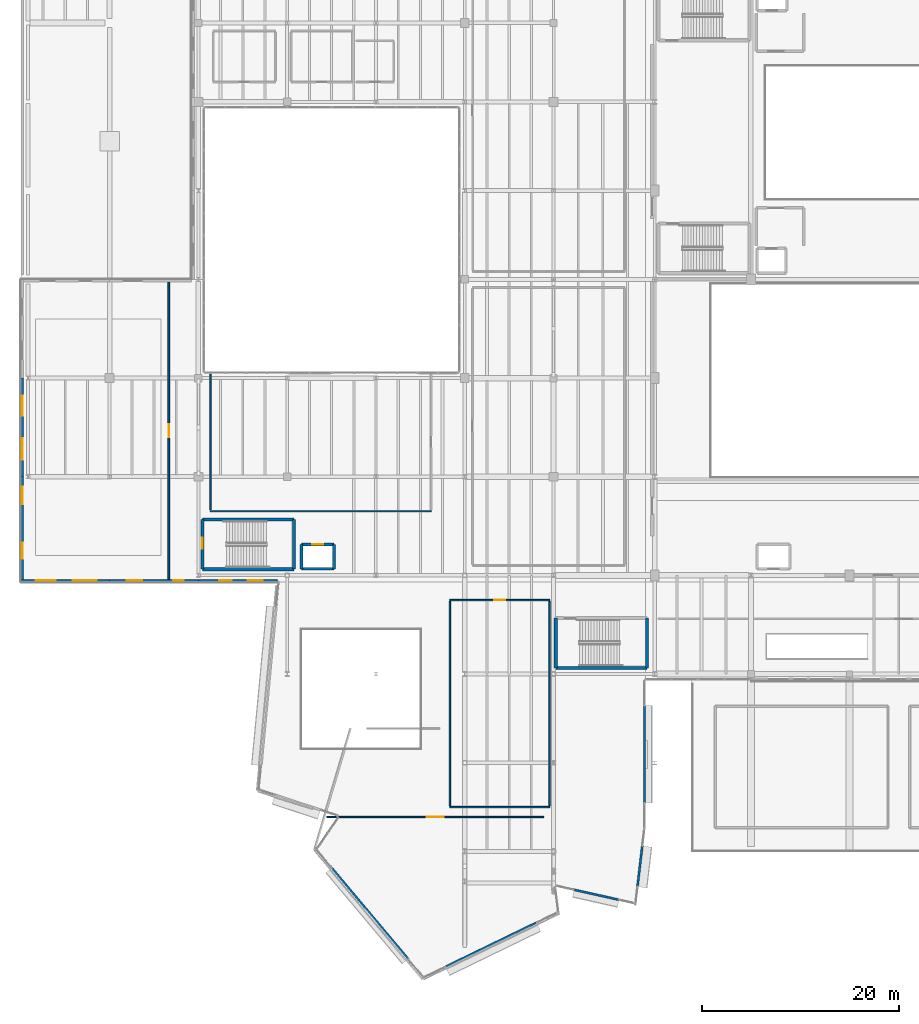
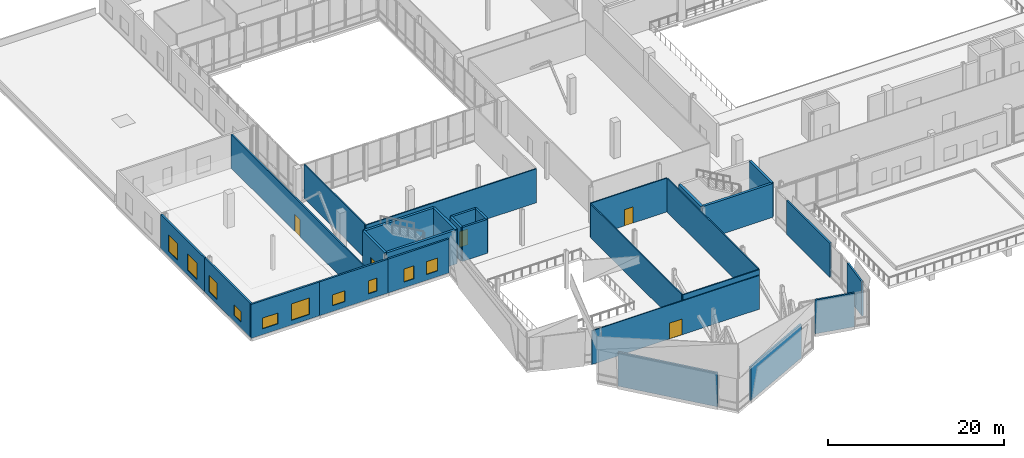
# One storey, part 41 of 60: 29 walls, 10 windows, 5 doors, 15 openings.
"""IFC4 building model written with IfcOpenShell, lengths in metres."""

from ifc_helpers import new_model, si_unit, direction, frame, frame_2d, origin, place, context, subcontext, project, spatial, rectangle, extrude, material, layer, layer_set, type_object, element, fill, save


model = new_model("IFC4")

# Units and contexts
model_context = context("Model", 3, precision=1e-05, world=origin(), true_north=direction((0.0, 1.0)))
body_context = subcontext(model_context, "Body", "Model", "MODEL_VIEW")
ifc_project = project(units=[si_unit("LENGTHUNIT", "METRE"), si_unit("AREAUNIT", "SQUARE_METRE"), si_unit("VOLUMEUNIT", "CUBIC_METRE"), si_unit("PLANEANGLEUNIT", "RADIAN"), si_unit("MASSUNIT", "GRAM", prefix="KILO")], contexts=[model_context])

# Site, building, storey
site_placement = place(None, origin())
site = spatial("IfcSite", under=ifc_project, at=site_placement, CompositionType="ELEMENT")
building_placement = place(site_placement, origin())
building = spatial("IfcBuilding", under=site, at=building_placement, Name="Trimount Lyric Opera House", CompositionType="ELEMENT")
storey_placement = place(building_placement, frame((0.0, 0.0, 15.0)))
storey = spatial("IfcBuildingStorey", under=building, at=storey_placement, Name="L03", CompositionType="ELEMENT", Elevation=15.0)

# Wall, opening, door
ifc_material_1 = material(Name="Gypsum Board Partition")
ifc_layer_1 = layer(ifc_material_1, 0.1201171875)
ifc_layer_set_1 = layer_set([ifc_layer_1], Name="WL-PT120")
wall_type_1 = type_object("IfcWallType", Name="WL-PT120", PredefinedType="PARTITIONING", material=ifc_layer_set_1)
wall_1_placement = place(storey_placement, frame((53.0, 29.5, 0.0), z_axis=(0.0, 0.0, 1.0), x_axis=(-1.0, 0.0, 0.0)))
wall_1 = element("IfcWall", 1, at=wall_1_placement, inside=storey, type_object=wall_type_1, Name="L03 Crystal Sky-Salon & Lecture Hall N partition", PredefinedType="PARTITIONING", context=body_context, shape_type="SweptSolid", body=[
    extrude(rectangle(XDim=22.0, YDim=0.1201171875, at=frame_2d((11.0, 0.0))), origin(), (0.0, 0.0, 1.0), 4.699951171875),
])
opening_1_placement = place(wall_1_placement, frame((10.14990234375, 0.0, 0.0)))
opening_1 = element("IfcOpeningElement", 2, at=opening_1_placement, cuts=wall_1, Name="Opening DT-COR2", PredefinedType="OPENING", context=body_context, shape_type="SweptSolid", body=[
    extrude(rectangle(XDim=1.699951171875, YDim=2.199951171875, at=frame_2d((0.85009765625, 1.10009765625))), frame((0.0, 0.070068359375, 0.0), z_axis=(0.0, -1.0, 0.0), x_axis=(1.0, 0.0, 0.0)), (0.0, 0.0, 1.0), 0.14013671875),
])
ifc_material_2 = material(Name="Solid Core White Oak")
door_type_1 = type_object("IfcDoorType", Name="DT-COR2", OperationType="DOUBLE_DOOR_SINGLE_SWING", PredefinedType="DOOR", material=ifc_material_2)
door_1_placement = place(opening_1_placement, origin())
door_1 = element("IfcDoor", 3, at=door_1_placement, inside=storey, type_object=door_type_1, Name="D-224", OperationType="DOUBLE_DOOR_SINGLE_SWING", OverallHeight=2.199951171875, OverallWidth=1.699951171875, PredefinedType="DOOR", context=body_context, shape_type="SweptSolid", body=[
    extrude(rectangle(XDim=1.699951171875, YDim=2.199951171875, at=frame_2d((0.85009765625, 1.10009765625))), frame((0.0, 0.02490234375, 0.0), z_axis=(0.0, -1.0, 0.0), x_axis=(1.0, 0.0, 0.0)), (0.0, 0.0, 1.0), 0.050048828125),
])
fill(opening_1, door_1)

# Wall
ifc_material_3 = material(Name="Fire-Rated Gypsum Board Partition")
ifc_layer_2 = layer(ifc_material_3, 0.14990234375)
ifc_layer_set_2 = layer_set([ifc_layer_2], Name="WL-PT150")
wall_type_2 = type_object("IfcWallType", Name="WL-PT150", PredefinedType="PARTITIONING", material=ifc_layer_set_2)
wall_2_placement = place(storey_placement, frame((43.5, 30.5, 0.0), z_axis=(0.0, 0.0, 1.0), x_axis=(1.0, 0.0, 0.0)))
element("IfcWall", 4, at=wall_2_placement, inside=storey, type_object=wall_type_2, Name="L03 Studio Theatre Technical Gallery S partition", PredefinedType="PARTITIONING", context=body_context, shape_type="SweptSolid", body=[
    extrude(rectangle(XDim=10.10009765625, YDim=0.14990234375, at=frame_2d((5.050048828125, 0.0))), origin(), (0.0, 0.0, 1.0), 4.699951171875),
])

# Wall, opening, door
wall_3_placement = place(storey_placement, frame((53.60009765625, 51.5, 0.0), z_axis=(0.0, 0.0, 1.0), x_axis=(-1.0, 0.0, 0.0)))
wall_3 = element("IfcWall", 5, at=wall_3_placement, inside=storey, type_object=wall_type_2, Name="L03 Studio Theatre Technical Gallery N partition", PredefinedType="PARTITIONING", context=body_context, shape_type="SweptSolid", body=[
    extrude(rectangle(XDim=10.10009765625, YDim=0.14990234375, at=frame_2d((5.050048828125, 0.0))), origin(), (0.0, 0.0, 1.0), 4.699951171875),
])
opening_2_placement = place(wall_3_placement, frame((4.489990234375, 0.0, 0.0)))
opening_2 = element("IfcOpeningElement", 6, at=opening_2_placement, cuts=wall_3, Name="Opening DT-AC2", PredefinedType="OPENING", context=body_context, shape_type="SweptSolid", body=[
    extrude(rectangle(XDim=1.1201171875, YDim=2.25, at=frame_2d((0.56005859375, 1.125))), frame((0.0, 0.0849609375, 0.0), z_axis=(0.0, -1.0, 0.0), x_axis=(1.0, 0.0, 0.0)), (0.0, 0.0, 1.0), 0.169921875),
])
ifc_material_4 = material(Name="Acoustic Steel-Core Timber", Category="steel")
door_type_2 = type_object("IfcDoorType", Name="DT-AC2", OperationType="NOTDEFINED", PredefinedType="DOOR", material=ifc_material_4)
door_2_placement = place(opening_2_placement, origin())
door_2 = element("IfcDoor", 7, at=door_2_placement, inside=storey, type_object=door_type_2, Name="D-225", OperationType="SINGLE_SWING_LEFT", OverallHeight=2.25, OverallWidth=1.1201171875, PredefinedType="DOOR", context=body_context, shape_type="SweptSolid", body=[
    extrude(rectangle(XDim=1.1201171875, YDim=2.25, at=frame_2d((0.56005859375, 1.125))), frame((0.0, 0.02490234375, 0.0), z_axis=(0.0, -1.0, 0.0), x_axis=(1.0, 0.0, 0.0)), (0.0, 0.0, 1.0), 0.050048828125),
])
fill(opening_2, door_2)

# Walls
for number, where, z_axis, x_axis, name in (
    (8, (43.5, 51.35009765625, 0.0), (0.0, 0.0, 1.0), (0.0, -1.0, 0.0), "L03 Studio Theatre Technical Gallery W partition"),
    (9, (53.60009765625, 30.64990234375, 0.0), (0.0, 0.0, 1.0), (0.0, 1.0, 0.0), "L03 Studio Theatre Technical Gallery E partition"),
):
    element("IfcWall", number, at=place(storey_placement, frame(where, z_axis=z_axis, x_axis=x_axis)), inside=storey, type_object=wall_type_2, Name=name, PredefinedType="PARTITIONING", context=body_context, shape_type="SweptSolid", body=[
        extrude(rectangle(XDim=20.7001953125, YDim=0.14990234375, at=frame_2d((10.35009765625, 0.0))), origin(), (0.0, 0.0, 1.0), 4.699951171875),
    ])
wall_4_placement = place(storey_placement, frame((19.199951171875, 60.5, 0.0), z_axis=(0.0, 0.0, 1.0), x_axis=(1.0, 0.0, 0.0)))
element("IfcWall", 10, at=wall_4_placement, inside=storey, type_object=wall_type_2, Name="L03 Dramaturgy & Libretto Workshop S partition", PredefinedType="PARTITIONING", context=body_context, shape_type="SweptSolid", body=[
    extrude(rectangle(XDim=22.400146484375, YDim=0.14990234375, at=frame_2d((11.2001953125, 0.0))), origin(), (0.0, 0.0, 1.0), 4.719970703125),
])
wall_5_placement = place(storey_placement, frame((19.199951171875, 74.39990234375, 0.0), z_axis=(0.0, 0.0, 1.0), x_axis=(0.0, -1.0, 0.0)))
element("IfcWall", 11, at=wall_5_placement, inside=storey, type_object=wall_type_2, Name="L03 Dramaturgy & Libretto Workshop W partition", PredefinedType="PARTITIONING", context=body_context, shape_type="SweptSolid", body=[
    extrude(rectangle(XDim=13.75, YDim=0.14990234375, at=frame_2d((6.875, 0.0))), origin(), (0.0, 0.0, 1.0), 4.719970703125),
])

# Wall, opening, door
ifc_material_5 = material(Name="Acoustic Double-Stud Gypsum Board")
ifc_layer_3 = layer(ifc_material_5, 0.179931640625)
ifc_layer_set_3 = layer_set([ifc_layer_3], Name="WL-PT180")
wall_type_3 = type_object("IfcWallType", Name="WL-PT180", PredefinedType="PARTITIONING", material=ifc_layer_set_3)
wall_6_placement = place(storey_placement, frame((15.0, 53.60009765625, 0.0), z_axis=(0.0, 0.0, 1.0), x_axis=(0.0, 1.0, 0.0)))
wall_6 = element("IfcWall", 12, at=wall_6_placement, inside=storey, type_object=wall_type_3, Name="L03 Opera Staging Rehearsal Room E partition", PredefinedType="PARTITIONING", context=body_context, shape_type="SweptSolid", body=[
    extrude(rectangle(XDim=30.119873046875, YDim=0.179931640625, at=frame_2d((15.06005859375, 0.0))), origin(), (0.0, 0.0, 1.0), 4.7099609375),
])
opening_3_placement = place(wall_6_placement, frame((14.409912109375, 0.0, 0.0)))
opening_3 = element("IfcOpeningElement", 13, at=opening_3_placement, cuts=wall_6, Name="Opening DT-AC1", PredefinedType="OPENING", context=body_context, shape_type="SweptSolid", body=[
    extrude(rectangle(XDim=1.300048828125, YDim=2.35009765625, at=frame_2d((0.64990234375, 1.175048828125))), frame((0.0, 0.10009765625, 0.0), z_axis=(0.0, -1.0, 0.0), x_axis=(1.0, 0.0, 0.0)), (0.0, 0.0, 1.0), 0.199951171875),
])
ifc_material_6 = material(Name="Acoustic Steel-Core Timber", Category="steel")
door_type_3 = type_object("IfcDoorType", Name="DT-AC1", OperationType="NOTDEFINED", PredefinedType="DOOR", material=ifc_material_6)
door_3_placement = place(opening_3_placement, origin())
door_3 = element("IfcDoor", 14, at=door_3_placement, inside=storey, type_object=door_type_3, Name="D-226", OperationType="SINGLE_SWING_RIGHT", OverallHeight=2.35009765625, OverallWidth=1.300048828125, PredefinedType="DOOR", context=body_context, shape_type="SweptSolid", body=[
    extrude(rectangle(XDim=1.300048828125, YDim=2.35009765625, at=frame_2d((0.64990234375, 1.175048828125))), frame((0.0, 0.02490234375, 0.0), z_axis=(0.0, -1.0, 0.0), x_axis=(1.0, 0.0, 0.0)), (0.0, 0.0, 1.0), 0.050048828125),
])
fill(opening_3, door_3)

# Wall
ifc_material_7 = material(Name="Concrete C40/50", Category="concrete")
ifc_layer_4 = layer(ifc_material_7, 0.280029296875)
ifc_layer_set_4 = layer_set([ifc_layer_4], Name="WL-SH280")
wall_type_4 = type_object("IfcWallType", Name="WL-SH280", PredefinedType="SHEAR", material=ifc_layer_set_4)
wall_7_placement = place(storey_placement, frame((28.4599609375, 54.659912109375, 0.0), z_axis=(0.0, 0.0, 1.0), x_axis=(1.0, 0.0, 0.0)))
element("IfcWall", 15, at=wall_7_placement, inside=storey, type_object=wall_type_4, Name="Lift LF-06 L03 south shaft wall", PredefinedType="SHEAR", context=body_context, shape_type="SweptSolid", body=[
    extrude(rectangle(XDim=3.280029296875, YDim=0.280029296875, at=frame_2d((1.64013671875, 0.0))), origin(), (0.0, 0.0, 1.0), 4.719970703125),
])

# Wall, opening, door
wall_8_placement = place(storey_placement, frame((31.739990234375, 57.139892578125, 0.0), z_axis=(0.0, 0.0, 1.0), x_axis=(-1.0, 0.0, 0.0)))
wall_8 = element("IfcWall", 16, at=wall_8_placement, inside=storey, type_object=wall_type_4, Name="Lift LF-06 L03 north shaft wall", PredefinedType="SHEAR", context=body_context, shape_type="SweptSolid", body=[
    extrude(rectangle(XDim=3.280029296875, YDim=0.280029296875, at=frame_2d((1.64013671875, 0.0))), origin(), (0.0, 0.0, 1.0), 4.719970703125),
])
opening_4_placement = place(wall_8_placement, frame((1.090087890625, 0.0, 0.0)))
opening_4 = element("IfcOpeningElement", 17, at=opening_4_placement, cuts=wall_8, Name="Opening DT-LD1", PredefinedType="OPENING", context=body_context, shape_type="SweptSolid", body=[
    extrude(rectangle(XDim=1.10009765625, YDim=2.199951171875, at=frame_2d((0.550048828125, 1.10009765625))), frame((0.0, 0.14990234375, 0.0), z_axis=(0.0, -1.0, 0.0), x_axis=(1.0, 0.0, 0.0)), (0.0, 0.0, 1.0), 0.300048828125),
])
ifc_material_8 = material(Name="Brushed Stainless Steel", Category="steel")
door_type_4 = type_object("IfcDoorType", Name="DT-LD1", OperationType="SLIDING_TO_LEFT", PredefinedType="DOOR", material=ifc_material_8)
door_4_placement = place(opening_4_placement, origin())
door_4 = element("IfcDoor", 18, at=door_4_placement, inside=storey, type_object=door_type_4, Name="D-111", OperationType="SLIDING_TO_LEFT", OverallHeight=2.199951171875, OverallWidth=1.10009765625, PredefinedType="DOOR", context=body_context, shape_type="SweptSolid", body=[
    extrude(rectangle(XDim=1.10009765625, YDim=2.199951171875, at=frame_2d((0.550048828125, 1.10009765625))), frame((0.0, 0.02490234375, 0.0), z_axis=(0.0, -1.0, 0.0), x_axis=(1.0, 0.0, 0.0)), (0.0, 0.0, 1.0), 0.050048828125),
])
fill(opening_4, door_4)

# Walls
for number, where, z_axis, x_axis, name in (
    (19, (28.4599609375, 57.139892578125, 0.0), (0.0, 0.0, 1.0), (0.0, -1.0, 0.0), "Lift LF-06 L03 west shaft wall"),
    (20, (31.739990234375, 54.659912109375, 0.0), (0.0, 0.0, 1.0), (0.0, 1.0, 0.0), "Lift LF-06 L03 east shaft wall"),
):
    element("IfcWall", number, at=place(storey_placement, frame(where, z_axis=z_axis, x_axis=x_axis)), inside=storey, type_object=wall_type_4, Name=name, PredefinedType="SHEAR", context=body_context, shape_type="SweptSolid", body=[
        extrude(rectangle(XDim=2.47998046875, YDim=0.280029296875, at=frame_2d((1.239990234375, 0.0))), origin(), (0.0, 0.0, 1.0), 4.719970703125),
    ])
ifc_material_9 = material(Name="Concrete C40/50", Category="concrete")
ifc_layer_5 = layer(ifc_material_9, 0.320068359375)
ifc_layer_set_5 = layer_set([ifc_layer_5], Name="WL-SH320")
wall_type_5 = type_object("IfcWallType", Name="WL-SH320", PredefinedType="SHEAR", material=ifc_layer_set_5)
for number, where, z_axis, x_axis, name in (
    (21, (18.425048828125, 54.625, 0.0), (0.0, 0.0, 1.0), (1.0, 0.0, 0.0), "K6 L03 south shaft wall"),
    (22, (27.675048828125, 59.675048828125, 0.0), (0.0, 0.0, 1.0), (-1.0, 0.0, 0.0), "K6 L03 north shaft wall"),
):
    element("IfcWall", number, at=place(storey_placement, frame(where, z_axis=z_axis, x_axis=x_axis)), inside=storey, type_object=wall_type_5, Name=name, PredefinedType="SHEAR", context=body_context, shape_type="SweptSolid", body=[
        extrude(rectangle(XDim=9.25, YDim=0.320068359375, at=frame_2d((4.625, 0.0))), origin(), (0.0, 0.0, 1.0), 4.719970703125),
    ])

# Wall, opening, door
wall_9_placement = place(storey_placement, frame((18.425048828125, 59.675048828125, 0.0), z_axis=(0.0, 0.0, 1.0), x_axis=(0.0, -1.0, 0.0)))
wall_9 = element("IfcWall", 23, at=wall_9_placement, inside=storey, type_object=wall_type_5, Name="K6 L03 west shaft wall", PredefinedType="SHEAR", context=body_context, shape_type="SweptSolid", body=[
    extrude(rectangle(XDim=5.050048828125, YDim=0.320068359375, at=frame_2d((2.52490234375, 0.0))), origin(), (0.0, 0.0, 1.0), 4.719970703125),
])
opening_5_placement = place(wall_9_placement, frame((1.85009765625, 0.0, 0.0)))
opening_5 = element("IfcOpeningElement", 24, at=opening_5_placement, cuts=wall_9, Name="Opening DT-ST1", PredefinedType="OPENING", context=body_context, shape_type="SweptSolid", body=[
    extrude(rectangle(XDim=1.14990234375, YDim=2.199951171875, at=frame_2d((0.574951171875, 1.10009765625))), frame((0.0, 0.169921875, 0.0), z_axis=(0.0, -1.0, 0.0), x_axis=(1.0, 0.0, 0.0)), (0.0, 0.0, 1.0), 0.340087890625),
])
ifc_material_10 = material(Name="Fire-Rated Hollow Steel", Category="steel")
door_type_5 = type_object("IfcDoorType", Name="DT-ST1", OperationType="NOTDEFINED", PredefinedType="DOOR", material=ifc_material_10)
door_5_placement = place(opening_5_placement, origin())
door_5 = element("IfcDoor", 25, at=door_5_placement, inside=storey, type_object=door_type_5, Name="D-049", OperationType="SINGLE_SWING_LEFT", OverallHeight=2.199951171875, OverallWidth=1.14990234375, PredefinedType="DOOR", context=body_context, shape_type="SweptSolid", body=[
    extrude(rectangle(XDim=1.14990234375, YDim=2.199951171875, at=frame_2d((0.574951171875, 1.10009765625))), frame((0.0, 0.02490234375, 0.0), z_axis=(0.0, -1.0, 0.0), x_axis=(1.0, 0.0, 0.0)), (0.0, 0.0, 1.0), 0.050048828125),
])
fill(opening_5, door_5)

# Walls
wall_10_placement = place(storey_placement, frame((27.675048828125, 54.625, 0.0), z_axis=(0.0, 0.0, 1.0), x_axis=(0.0, 1.0, 0.0)))
element("IfcWall", 26, at=wall_10_placement, inside=storey, type_object=wall_type_5, Name="K6 L03 east shaft wall", PredefinedType="SHEAR", context=body_context, shape_type="SweptSolid", body=[
    extrude(rectangle(XDim=5.050048828125, YDim=0.320068359375, at=frame_2d((2.52490234375, 0.0))), origin(), (0.0, 0.0, 1.0), 4.719970703125),
])
wall_11_placement = place(storey_placement, frame((54.22509765625, 44.625, 0.0), z_axis=(0.0, 0.0, 1.0), x_axis=(1.0, 0.0, 0.0)))
element("IfcWall", 27, at=wall_11_placement, inside=storey, type_object=wall_type_5, Name="K7 L03 south shaft wall", PredefinedType="SHEAR", context=body_context, shape_type="SweptSolid", body=[
    extrude(rectangle(XDim=9.25, YDim=0.320068359375, at=frame_2d((4.625, 0.0))), origin(), (0.0, 0.0, 1.0), 4.699951171875),
])
wall_12_placement = place(storey_placement, frame((54.22509765625, 49.675048828125, 0.0), z_axis=(0.0, 0.0, 1.0), x_axis=(0.0, -1.0, 0.0)))
element("IfcWall", 28, at=wall_12_placement, inside=storey, type_object=wall_type_5, Name="K7 L03 west shaft wall", PredefinedType="SHEAR", context=body_context, shape_type="SweptSolid", body=[
    extrude(rectangle(XDim=5.050048828125, YDim=0.320068359375, at=frame_2d((2.52490234375, 0.0))), origin(), (0.0, 0.0, 1.0), 4.699951171875),
])
wall_13_placement = place(storey_placement, frame((63.47509765625, 44.625, 0.0), z_axis=(0.0, 0.0, 1.0), x_axis=(0.0, 1.0, 0.0)))
element("IfcWall", 29, at=wall_13_placement, inside=storey, type_object=wall_type_5, Name="K7 L03 east shaft wall", PredefinedType="SHEAR", context=body_context, shape_type="SweptSolid", body=[
    extrude(rectangle(XDim=5.050048828125, YDim=0.320068359375, at=frame_2d((2.52490234375, 0.0))), origin(), (0.0, 0.0, 1.0), 4.719970703125),
])
ifc_material_11 = material(Name="Concrete C35/45", Category="concrete")
ifc_layer_6 = layer(ifc_material_11, 0.219970703125)
ifc_layer_set_6 = layer_set([ifc_layer_6], Name="WL-SW220")
wall_type_6 = type_object("IfcWallType", Name="WL-SW220", PredefinedType="SOLIDWALL", material=ifc_layer_set_6)
wall_14_placement = place(storey_placement, frame((63.2099609375, 40.7900390625, 0.0), z_axis=(0.0, 0.0, 1.0), x_axis=(0.0, -1.0, 0.0)))
element("IfcWall", 30, at=wall_14_placement, inside=storey, type_object=wall_type_6, Name="L03 broken-crystal backup wall 282", PredefinedType="SOLIDWALL", context=body_context, shape_type="SweptSolid", body=[
    extrude(rectangle(XDim=9.89111328125, YDim=0.219970703125, at=frame_2d((4.945556640625, 0.0))), origin(), (0.0, 0.0, 1.0), 4.719970703125),
])
wall_15_placement = place(storey_placement, frame((62.99560546875, 26.564453125, 0.0), z_axis=(0.0, 0.0, 1.0), x_axis=(-0.117637390661, -0.993056616875, 0.0)))
element("IfcWall", 31, at=wall_15_placement, inside=storey, type_object=wall_type_6, Name="L03 broken-crystal backup wall 283", PredefinedType="SOLIDWALL", context=body_context, shape_type="SweptSolid", body=[
    extrude(rectangle(XDim=4.1630859375, YDim=0.219970703125, at=frame_2d((2.08154296875, 0.0))), origin(), (0.0, 0.0, 1.0), 4.719970703125),
])
wall_16_placement = place(storey_placement, frame((60.63818359375, 21.10693359375, 0.0), z_axis=(0.0, 0.0, 1.0), x_axis=(-0.97588398213, 0.218289838108, 0.0)))
element("IfcWall", 32, at=wall_16_placement, inside=storey, type_object=wall_type_6, Name="L03 broken-crystal backup wall 284", PredefinedType="SOLIDWALL", context=body_context, shape_type="SweptSolid", body=[
    extrude(rectangle(XDim=4.67724609375, YDim=0.219970703125, at=frame_2d((2.338623046875, 0.0))), origin(), (0.0, 0.0, 1.0), 4.699951171875),
])
wall_17_placement = place(storey_placement, frame((52.276123046875, 18.7939453125, 0.0), z_axis=(0.0, 0.0, 1.0), x_axis=(-0.899586006578, -0.436743651091, 0.0)))
element("IfcWall", 33, at=wall_17_placement, inside=storey, type_object=wall_type_6, Name="L03 broken-crystal backup wall 285", PredefinedType="SOLIDWALL", context=body_context, shape_type="SweptSolid", body=[
    extrude(rectangle(XDim=10.280517578125, YDim=0.219970703125, at=frame_2d((5.14013671875, 0.0))), origin(), (0.0, 0.0, 1.0), 4.699951171875),
])
wall_18_placement = place(storey_placement, frame((39.25732421875, 15.108154296875, 0.0), z_axis=(0.0, 0.0, 1.0), x_axis=(-0.643046628077, 0.765827026239, 0.0)))
element("IfcWall", 34, at=wall_18_placement, inside=storey, type_object=wall_type_6, Name="L03 broken-crystal backup wall 286", PredefinedType="SOLIDWALL", context=body_context, shape_type="SweptSolid", body=[
    extrude(rectangle(XDim=12.0458984375, YDim=0.219970703125, at=frame_2d((6.02294921875, 0.0))), origin(), (0.0, 0.0, 1.0), 4.719970703125),
])

# Wall, openings, windows
ifc_material_12 = material(Name="Concrete C35/45", Category="concrete")
ifc_layer_7 = layer(ifc_material_12, 0.239990234375)
ifc_layer_set_7 = layer_set([ifc_layer_7], Name="WL-SW240")
wall_type_7 = type_object("IfcWallType", Name="WL-SW240", PredefinedType="SOLIDWALL", material=ifc_layer_set_7)
wall_19_placement = place(storey_placement, frame((26.0, 53.4599609375, 0.0), z_axis=(0.0, 0.0, 1.0), x_axis=(-1.0, 0.0, 0.0)))
wall_19 = element("IfcWall", 35, at=wall_19_placement, inside=storey, type_object=wall_type_7, Name="L03 exterior facade wall 241", PredefinedType="SOLIDWALL", context=body_context, shape_type="SweptSolid", body=[
    extrude(rectangle(XDim=8.0, YDim=0.239990234375, at=frame_2d((4.0, 0.0))), origin(), (0.0, 0.0, 1.0), 4.719970703125),
])
opening_6_placement = place(wall_19_placement, frame((1.489990234375, 0.0, 0.800048828125)))
opening_6 = element("IfcOpeningElement", 36, at=opening_6_placement, cuts=wall_19, Name="Opening WT-20", PredefinedType="OPENING", context=body_context, shape_type="SweptSolid", body=[
    extrude(rectangle(XDim=1.5, YDim=1.800048828125, at=frame_2d((0.75, 0.89990234375))), frame((0.0, 0.1298828125, 0.0), z_axis=(0.0, -1.0, 0.0), x_axis=(1.0, 0.0, 0.0)), (0.0, 0.0, 1.0), 0.260009765625),
])
opening_7_placement = place(wall_19_placement, frame((4.610107421875, 0.0, 0.800048828125)))
opening_7 = element("IfcOpeningElement", 37, at=opening_7_placement, cuts=wall_19, Name="Opening WT-21", PredefinedType="OPENING", context=body_context, shape_type="SweptSolid", body=[
    extrude(rectangle(XDim=1.300048828125, YDim=1.800048828125, at=frame_2d((0.64990234375, 0.89990234375))), frame((0.0, 0.1298828125, 0.0), z_axis=(0.0, -1.0, 0.0), x_axis=(1.0, 0.0, 0.0)), (0.0, 0.0, 1.0), 0.260009765625),
])
ifc_material_13 = material(Name="Dressing Suite Acoustic Window")
window_type_1 = type_object("IfcWindowType", Name="WT-20", PartitioningType="SINGLE_PANEL", PredefinedType="WINDOW", material=ifc_material_13)
window_1_placement = place(opening_6_placement, origin())
window_1 = element("IfcWindow", 38, at=window_1_placement, inside=storey, type_object=window_type_1, Name="Window WT-20-0202", OverallHeight=1.800048828125, OverallWidth=1.5, PartitioningType="SINGLE_PANEL", PredefinedType="WINDOW", context=body_context, shape_type="SweptSolid", body=[
    extrude(rectangle(XDim=1.5, YDim=1.800048828125, at=frame_2d((0.75, 0.89990234375))), frame((0.0, 0.030029296875, 0.0), z_axis=(0.0, -1.0, 0.0), x_axis=(1.0, 0.0, 0.0)), (0.0, 0.0, 1.0), 0.06005859375),
])
fill(opening_6, window_1)
ifc_material_14 = material(Name="Dressing Suite Acoustic Window")
window_type_2 = type_object("IfcWindowType", Name="WT-21", PartitioningType="SINGLE_PANEL", PredefinedType="WINDOW", material=ifc_material_14)
window_2_placement = place(opening_7_placement, origin())
window_2 = element("IfcWindow", 39, at=window_2_placement, inside=storey, type_object=window_type_2, Name="Window WT-21-0203", OverallHeight=1.800048828125, OverallWidth=1.300048828125, PartitioningType="SINGLE_PANEL", PredefinedType="WINDOW", context=body_context, shape_type="SweptSolid", body=[
    extrude(rectangle(XDim=1.300048828125, YDim=1.800048828125, at=frame_2d((0.64990234375, 0.89990234375))), frame((0.0, 0.030029296875, 0.0), z_axis=(0.0, -1.0, 0.0), x_axis=(1.0, 0.0, 0.0)), (0.0, 0.0, 1.0), 0.06005859375),
])
fill(opening_7, window_2)

wall_20_placement = place(storey_placement, frame((18.0, 53.4599609375, 0.0), z_axis=(0.0, 0.0, 1.0), x_axis=(-1.0, 0.0, 0.0)))
wall_20 = element("IfcWall", 40, at=wall_20_placement, inside=storey, type_object=wall_type_7, Name="L03 exterior facade wall 242", PredefinedType="SOLIDWALL", context=body_context, shape_type="SweptSolid", body=[
    extrude(rectangle(XDim=9.0, YDim=0.239990234375, at=frame_2d((4.5, 0.0))), origin(), (0.0, 0.0, 1.0), 4.7099609375),
])
opening_8_placement = place(wall_20_placement, frame((1.469970703125, 0.0, 0.800048828125)))
opening_8 = element("IfcOpeningElement", 41, at=opening_8_placement, cuts=wall_20, Name="Opening WT-22", PredefinedType="OPENING", context=body_context, shape_type="SweptSolid", body=[
    extrude(rectangle(XDim=1.10009765625, YDim=1.800048828125, at=frame_2d((0.550048828125, 0.89990234375))), frame((0.0, 0.1298828125, 0.0), z_axis=(0.0, -1.0, 0.0), x_axis=(1.0, 0.0, 0.0)), (0.0, 0.0, 1.0), 0.260009765625),
])
opening_9_placement = place(wall_20_placement, frame((5.679931640625, 0.0, 0.800048828125)))
opening_9 = element("IfcOpeningElement", 42, at=opening_9_placement, cuts=wall_20, Name="Opening WT-26", PredefinedType="OPENING", context=body_context, shape_type="SweptSolid", body=[
    extrude(rectangle(XDim=1.60009765625, YDim=1.5, at=frame_2d((0.800048828125, 0.75))), frame((0.0, 0.1298828125, 0.0), z_axis=(0.0, -1.0, 0.0), x_axis=(1.0, 0.0, 0.0)), (0.0, 0.0, 1.0), 0.260009765625),
])
ifc_material_15 = material(Name="Practice Room Acoustic Window")
window_type_3 = type_object("IfcWindowType", Name="WT-22", PartitioningType="SINGLE_PANEL", PredefinedType="WINDOW", material=ifc_material_15)
window_3_placement = place(opening_8_placement, origin())
window_3 = element("IfcWindow", 43, at=window_3_placement, inside=storey, type_object=window_type_3, Name="Window WT-22-0204", OverallHeight=1.800048828125, OverallWidth=1.10009765625, PartitioningType="SINGLE_PANEL", PredefinedType="WINDOW", context=body_context, shape_type="SweptSolid", body=[
    extrude(rectangle(XDim=1.10009765625, YDim=1.800048828125, at=frame_2d((0.550048828125, 0.89990234375))), frame((0.0, 0.030029296875, 0.0), z_axis=(0.0, -1.0, 0.0), x_axis=(1.0, 0.0, 0.0)), (0.0, 0.0, 1.0), 0.06005859375),
])
fill(opening_8, window_3)
ifc_material_16 = material(Name="Clerestory Ribbon Glazing", Category="glass")
window_type_4 = type_object("IfcWindowType", Name="WT-26", PartitioningType="SINGLE_PANEL", PredefinedType="WINDOW", material=ifc_material_16)
window_4_placement = place(opening_9_placement, origin())
window_4 = element("IfcWindow", 44, at=window_4_placement, inside=storey, type_object=window_type_4, Name="Window WT-26-0205", OverallHeight=1.5, OverallWidth=1.60009765625, PartitioningType="SINGLE_PANEL", PredefinedType="WINDOW", context=body_context, shape_type="SweptSolid", body=[
    extrude(rectangle(XDim=1.60009765625, YDim=1.5, at=frame_2d((0.800048828125, 0.75))), frame((0.0, 0.030029296875, 0.0), z_axis=(0.0, -1.0, 0.0), x_axis=(1.0, 0.0, 0.0)), (0.0, 0.0, 1.0), 0.06005859375),
])
fill(opening_9, window_4)

wall_21_placement = place(storey_placement, frame((9.0, 53.4599609375, 0.0), z_axis=(0.0, 0.0, 1.0), x_axis=(-1.0, 0.0, 0.0)))
wall_21 = element("IfcWall", 45, at=wall_21_placement, inside=storey, type_object=wall_type_7, Name="L03 exterior facade wall 243", PredefinedType="SOLIDWALL", context=body_context, shape_type="SweptSolid", body=[
    extrude(rectangle(XDim=9.0, YDim=0.239990234375, at=frame_2d((4.5, 0.0))), origin(), (0.0, 0.0, 1.0), 4.7099609375),
])
opening_10_placement = place(wall_21_placement, frame((1.320068359375, 0.0, 0.64990234375)))
opening_10 = element("IfcOpeningElement", 46, at=opening_10_placement, cuts=wall_21, Name="Opening WT-01", PredefinedType="OPENING", context=body_context, shape_type="SweptSolid", body=[
    extrude(rectangle(XDim=2.39990234375, YDim=2.300048828125, at=frame_2d((1.199951171875, 1.14990234375))), frame((0.0, 0.1298828125, 0.0), z_axis=(0.0, -1.0, 0.0), x_axis=(1.0, 0.0, 0.0)), (0.0, 0.0, 1.0), 0.260009765625),
])
opening_11_placement = place(wall_21_placement, frame((5.47998046875, 0.0, 0.800048828125)))
opening_11 = element("IfcOpeningElement", 47, at=opening_11_placement, cuts=wall_21, Name="Opening WT-25", PredefinedType="OPENING", context=body_context, shape_type="SweptSolid", body=[
    extrude(rectangle(XDim=2.0, YDim=1.5, at=frame_2d((1.0, 0.75))), frame((0.0, 0.1298828125, 0.0), z_axis=(0.0, -1.0, 0.0), x_axis=(1.0, 0.0, 0.0)), (0.0, 0.0, 1.0), 0.260009765625),
])
ifc_material_17 = material(Name="Triple Acoustic Glazing in Aluminium Frame", Category="aluminium")
window_type_5 = type_object("IfcWindowType", Name="WT-01", PartitioningType="DOUBLE_PANEL_VERTICAL", PredefinedType="WINDOW", material=ifc_material_17)
window_5_placement = place(opening_10_placement, origin())
window_5 = element("IfcWindow", 48, at=window_5_placement, inside=storey, type_object=window_type_5, Name="Window WT-01-0206", OverallHeight=2.300048828125, OverallWidth=2.39990234375, PartitioningType="SINGLE_PANEL", PredefinedType="WINDOW", context=body_context, shape_type="SweptSolid", body=[
    extrude(rectangle(XDim=2.39990234375, YDim=2.300048828125, at=frame_2d((1.199951171875, 1.14990234375))), frame((0.0, 0.030029296875, 0.0), z_axis=(0.0, -1.0, 0.0), x_axis=(1.0, 0.0, 0.0)), (0.0, 0.0, 1.0), 0.06005859375),
])
fill(opening_10, window_5)
ifc_material_18 = material(Name="Clerestory Ribbon Glazing", Category="glass")
window_type_6 = type_object("IfcWindowType", Name="WT-25", PartitioningType="DOUBLE_PANEL_HORIZONTAL", PredefinedType="WINDOW", material=ifc_material_18)
window_6_placement = place(opening_11_placement, origin())
window_6 = element("IfcWindow", 49, at=window_6_placement, inside=storey, type_object=window_type_6, Name="Window WT-25-0207", OverallHeight=1.5, OverallWidth=2.0, PartitioningType="SINGLE_PANEL", PredefinedType="WINDOW", context=body_context, shape_type="SweptSolid", body=[
    extrude(rectangle(XDim=2.0, YDim=1.5, at=frame_2d((1.0, 0.75))), frame((0.0, 0.030029296875, 0.0), z_axis=(0.0, -1.0, 0.0), x_axis=(1.0, 0.0, 0.0)), (0.0, 0.0, 1.0), 0.06005859375),
])
fill(opening_11, window_6)

wall_22_placement = place(storey_placement, frame((0.139892578125, 53.5849609375, 0.0), z_axis=(0.0, 0.0, 1.0), x_axis=(0.0, 1.0, 0.0)))
wall_22 = element("IfcWall", 50, at=wall_22_placement, inside=storey, type_object=wall_type_7, Name="L03 exterior facade wall 244", PredefinedType="SOLIDWALL", context=body_context, shape_type="SweptSolid", body=[
    extrude(rectangle(XDim=10.4150390625, YDim=0.239990234375, at=frame_2d((5.20751953125, 0.0))), origin(), (0.0, 0.0, 1.0), 4.7099609375),
])
opening_12_placement = place(wall_22_placement, frame((2.1162109375, 0.0, 0.800048828125)))
opening_12 = element("IfcOpeningElement", 51, at=opening_12_placement, cuts=wall_22, Name="Opening WT-26", PredefinedType="OPENING", context=body_context, shape_type="SweptSolid", body=[
    extrude(rectangle(XDim=1.60009765625, YDim=1.5, at=frame_2d((0.800048828125, 0.75))), frame((0.0, 0.1298828125, 0.0), z_axis=(0.0, -1.0, 0.0), x_axis=(1.0, 0.0, 0.0)), (0.0, 0.0, 1.0), 0.260009765625),
])
opening_13_placement = place(wall_22_placement, frame((7.598876953125, 0.0, 0.64990234375)))
opening_13 = element("IfcOpeningElement", 52, at=opening_13_placement, cuts=wall_22, Name="Opening WT-04", PredefinedType="OPENING", context=body_context, shape_type="SweptSolid", body=[
    extrude(rectangle(XDim=1.800048828125, YDim=2.300048828125, at=frame_2d((0.89990234375, 1.14990234375))), frame((0.0, 0.1298828125, 0.0), z_axis=(0.0, -1.0, 0.0), x_axis=(1.0, 0.0, 0.0)), (0.0, 0.0, 1.0), 0.260009765625),
])
ifc_material_19 = material(Name="Triple Acoustic Glazing in Aluminium Frame", Category="aluminium")
window_type_7 = type_object("IfcWindowType", Name="WT-04", PartitioningType="DOUBLE_PANEL_VERTICAL", PredefinedType="WINDOW", material=ifc_material_19)
window_7_placement = place(opening_13_placement, origin())
window_7 = element("IfcWindow", 53, at=window_7_placement, inside=storey, type_object=window_type_7, Name="Window WT-04-0209", OverallHeight=2.300048828125, OverallWidth=1.800048828125, PartitioningType="SINGLE_PANEL", PredefinedType="WINDOW", context=body_context, shape_type="SweptSolid", body=[
    extrude(rectangle(XDim=1.800048828125, YDim=2.300048828125, at=frame_2d((0.89990234375, 1.14990234375))), frame((0.0, 0.030029296875, 0.0), z_axis=(0.0, -1.0, 0.0), x_axis=(1.0, 0.0, 0.0)), (0.0, 0.0, 1.0), 0.06005859375),
])
fill(opening_13, window_7)
window_8_placement = place(opening_12_placement, origin())
window_8 = element("IfcWindow", 54, at=window_8_placement, inside=storey, type_object=window_type_4, Name="Window WT-26-0208", OverallHeight=1.5, OverallWidth=1.60009765625, PartitioningType="SINGLE_PANEL", PredefinedType="WINDOW", context=body_context, shape_type="SweptSolid", body=[
    extrude(rectangle(XDim=1.60009765625, YDim=1.5, at=frame_2d((0.800048828125, 0.75))), frame((0.0, 0.030029296875, 0.0), z_axis=(0.0, -1.0, 0.0), x_axis=(1.0, 0.0, 0.0)), (0.0, 0.0, 1.0), 0.06005859375),
])
fill(opening_12, window_8)

wall_23_placement = place(storey_placement, frame((0.139892578125, 64.0, 0.0), z_axis=(0.0, 0.0, 1.0), x_axis=(0.0, 1.0, 0.0)))
wall_23 = element("IfcWall", 55, at=wall_23_placement, inside=storey, type_object=wall_type_7, Name="L03 exterior facade wall 245", PredefinedType="SOLIDWALL", context=body_context, shape_type="SweptSolid", body=[
    extrude(rectangle(XDim=10.0, YDim=0.239990234375, at=frame_2d((5.0, 0.0))), origin(), (0.0, 0.0, 1.0), 4.7099609375),
])
opening_14_placement = place(wall_23_placement, frame((1.699951171875, 0.0, 0.64990234375)))
opening_14 = element("IfcOpeningElement", 56, at=opening_14_placement, cuts=wall_23, Name="Opening WT-02", PredefinedType="OPENING", context=body_context, shape_type="SweptSolid", body=[
    extrude(rectangle(XDim=2.199951171875, YDim=2.300048828125, at=frame_2d((1.10009765625, 1.14990234375))), frame((0.0, 0.1298828125, 0.0), z_axis=(0.0, -1.0, 0.0), x_axis=(1.0, 0.0, 0.0)), (0.0, 0.0, 1.0), 0.260009765625),
])
opening_15_placement = place(wall_23_placement, frame((6.199951171875, 0.0, 0.64990234375)))
opening_15 = element("IfcOpeningElement", 57, at=opening_15_placement, cuts=wall_23, Name="Opening WT-03", PredefinedType="OPENING", context=body_context, shape_type="SweptSolid", body=[
    extrude(rectangle(XDim=2.0, YDim=2.300048828125, at=frame_2d((1.0, 1.14990234375))), frame((0.0, 0.1298828125, 0.0), z_axis=(0.0, -1.0, 0.0), x_axis=(1.0, 0.0, 0.0)), (0.0, 0.0, 1.0), 0.260009765625),
])
ifc_material_20 = material(Name="Triple Acoustic Glazing in Aluminium Frame", Category="aluminium")
window_type_8 = type_object("IfcWindowType", Name="WT-02", PartitioningType="DOUBLE_PANEL_VERTICAL", PredefinedType="WINDOW", material=ifc_material_20)
window_9_placement = place(opening_14_placement, origin())
window_9 = element("IfcWindow", 58, at=window_9_placement, inside=storey, type_object=window_type_8, Name="Window WT-02-0210", OverallHeight=2.300048828125, OverallWidth=2.199951171875, PartitioningType="SINGLE_PANEL", PredefinedType="WINDOW", context=body_context, shape_type="SweptSolid", body=[
    extrude(rectangle(XDim=2.199951171875, YDim=2.300048828125, at=frame_2d((1.10009765625, 1.14990234375))), frame((0.0, 0.030029296875, 0.0), z_axis=(0.0, -1.0, 0.0), x_axis=(1.0, 0.0, 0.0)), (0.0, 0.0, 1.0), 0.06005859375),
])
fill(opening_14, window_9)
ifc_material_21 = material(Name="Triple Acoustic Glazing in Aluminium Frame", Category="aluminium")
window_type_9 = type_object("IfcWindowType", Name="WT-03", PartitioningType="DOUBLE_PANEL_VERTICAL", PredefinedType="WINDOW", material=ifc_material_21)
window_10_placement = place(opening_15_placement, origin())
window_10 = element("IfcWindow", 59, at=window_10_placement, inside=storey, type_object=window_type_9, Name="Window WT-03-0211", OverallHeight=2.300048828125, OverallWidth=2.0, PartitioningType="SINGLE_PANEL", PredefinedType="WINDOW", context=body_context, shape_type="SweptSolid", body=[
    extrude(rectangle(XDim=2.0, YDim=2.300048828125, at=frame_2d((1.0, 1.14990234375))), frame((0.0, 0.030029296875, 0.0), z_axis=(0.0, -1.0, 0.0), x_axis=(1.0, 0.0, 0.0)), (0.0, 0.0, 1.0), 0.06005859375),
])
fill(opening_15, window_10)

save(model, "model.ifc")
